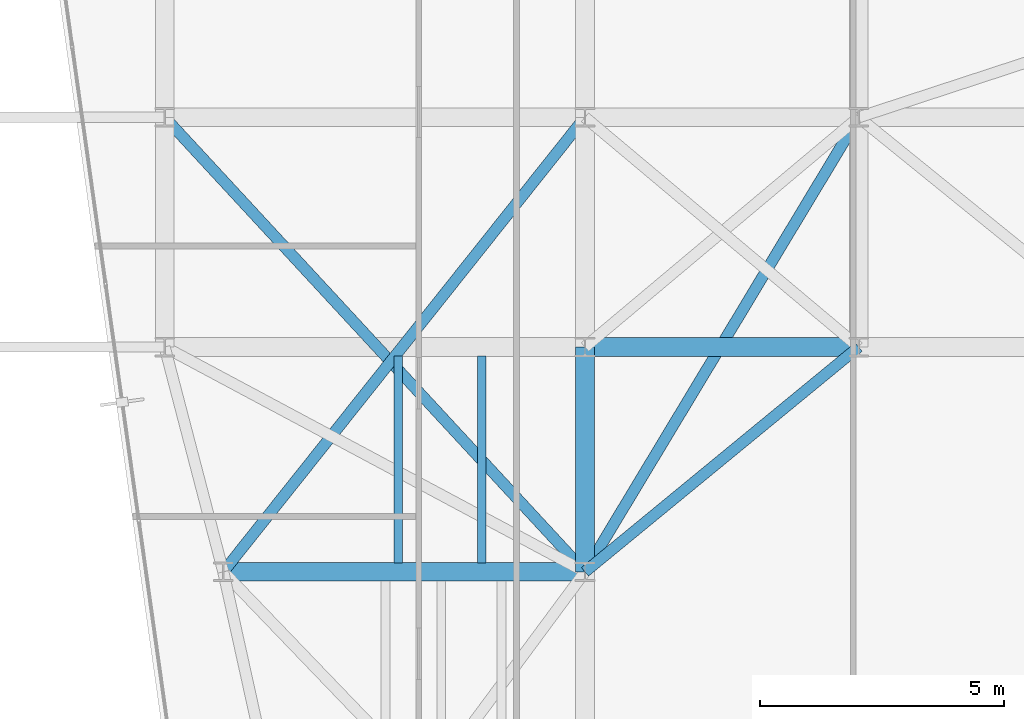
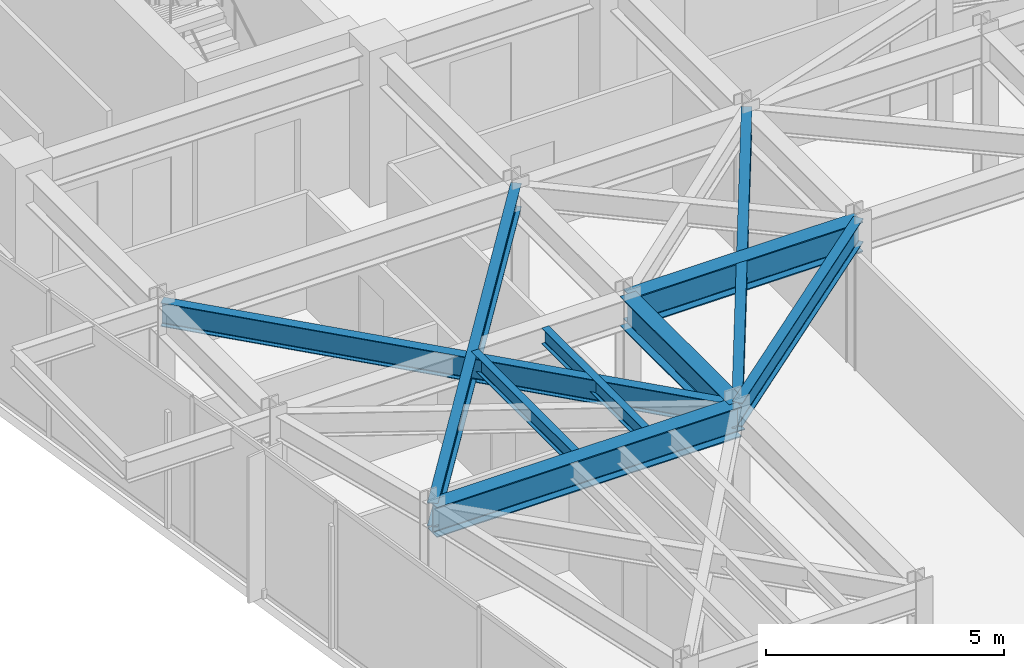
# One storey, part 5 of 26: 9 beams.
"""IFC4 building model written with IfcOpenShell, lengths in metres."""

from ifc_helpers import new_model, si_unit, direction, frame, origin, origin_2d, place, context, subcontext, project, spatial, i_section, extrude, material, material_profile, profile_set, type_object, element, save


model = new_model("IFC4")

# Units and contexts
model_context = context("Model", 3, precision=1e-05, world=origin(), true_north=direction((0.0, 1.0)))
body_context = subcontext(model_context, "Body", "Model", "MODEL_VIEW")
ifc_project = project(units=[si_unit("LENGTHUNIT", "METRE"), si_unit("AREAUNIT", "SQUARE_METRE"), si_unit("VOLUMEUNIT", "CUBIC_METRE"), si_unit("PLANEANGLEUNIT", "RADIAN"), si_unit("MASSUNIT", "GRAM", prefix="KILO")], contexts=[model_context])

# Site, building, storey
site_placement = place(None, origin())
site = spatial("IfcSite", under=ifc_project, at=site_placement, CompositionType="ELEMENT")
building_placement = place(site_placement, origin())
building = spatial("IfcBuilding", under=site, at=building_placement, Name="Kravanh Interchange Tower", CompositionType="ELEMENT")
storey_placement = place(building_placement, frame((0.0, 0.0, 212.5)))
storey = spatial("IfcBuildingStorey", under=building, at=storey_placement, Name="L51", CompositionType="ELEMENT", Elevation=212.5)

# Beams
ifc_material_1 = material(Name="Structural Steel S355", Category="steel")
ifc_material_profile_1 = material_profile(ifc_material_1, i_section(OverallWidth=0.381103515625, OverallDepth=0.77294921875, WebThickness=0.0166015625, FlangeThickness=0.027099609375, FilletRadius=0.02490234375, at=origin_2d()), Name="W30X173")
ifc_profile_set_1 = profile_set([ifc_material_profile_1], Name="Structural Steel S355")
beam_type_1 = type_object("IfcBeamType", Name="Floor Beam W30X173 Structural Steel S355", PredefinedType="BEAM", material=ifc_profile_set_1)
beam_1_placement = place(storey_placement, frame((27.199951171875, 26.800048828125, 3.368408203125), z_axis=(0.0, -1.0, 0.0), x_axis=(1.0, 0.0, 0.0)))
element("IfcBeam", 1, at=beam_1_placement, inside=storey, type_object=beam_type_1, Name="L51 Primary Floor Girder 37", PredefinedType="BEAM", context=body_context, shape_type="SweptSolid", body=[
    extrude(i_section(OverallWidth=0.381103515625, OverallDepth=0.77294921875, WebThickness=0.0166015625, FlangeThickness=0.027099609375, FilletRadius=0.02490234375, at=origin_2d()), origin(), (0.0, 0.0, 1.0), 4.60009765625),
])
beam_2_placement = place(storey_placement, frame((27.199951171875, 26.800048828125, 3.368408203125), z_axis=(1.0, 0.0, 0.0), x_axis=(0.0, 1.0, 0.0)))
element("IfcBeam", 2, at=beam_2_placement, inside=storey, type_object=beam_type_1, Name="L51 Primary Floor Girder 39", PredefinedType="BEAM", context=body_context, shape_type="SweptSolid", body=[
    extrude(i_section(OverallWidth=0.381103515625, OverallDepth=0.77294921875, WebThickness=0.0166015625, FlangeThickness=0.027099609375, FilletRadius=0.02490234375, at=origin_2d()), origin(), (0.0, 0.0, 1.0), 5.60009765625),
])
beam_3_placement = place(storey_placement, frame((19.800048828125, 22.199951171875, 3.368408203125), z_axis=(1.0, 0.0, 0.0), x_axis=(0.0, 1.0, 0.0)))
element("IfcBeam", 3, at=beam_3_placement, inside=storey, type_object=beam_type_1, Name="L51 Primary Floor Girder 91", PredefinedType="BEAM", context=body_context, shape_type="SweptSolid", body=[
    extrude(i_section(OverallWidth=0.381103515625, OverallDepth=0.77294921875, WebThickness=0.0166015625, FlangeThickness=0.027099609375, FilletRadius=0.02490234375, at=origin_2d()), origin(), (0.0, 0.0, 1.0), 7.39990234375),
])
ifc_material_2 = material(Name="Structural Steel S355", Category="steel")
ifc_material_profile_2 = material_profile(ifc_material_2, i_section(OverallWidth=0.177978515625, OverallDepth=0.406005859375, WebThickness=0.0078125, FlangeThickness=0.0126953125, FilletRadius=0.01611328125, at=origin_2d()), Name="W16X40")
ifc_profile_set_2 = profile_set([ifc_material_profile_2], Name="Structural Steel S355")
beam_type_2 = type_object("IfcBeamType", Name="Floor Joist W16X40 Structural Steel S355", PredefinedType="JOIST", material=ifc_profile_set_2)
for number, where, z_axis, x_axis, name in (
    (4, (23.3779296875, 22.385498046875, 3.552001953125), (0.0, 1.0, 0.0), (-1.0, 0.0, 0.0), "L51 Secondary Floor Joist 8"),
    (5, (25.0859375, 22.385498046875, 3.552001953125), (0.0, 1.0, 0.0), (-1.0, 0.0, 0.0), "L51 Secondary Floor Joist 9"),
):
    element("IfcBeam", number, at=place(storey_placement, frame(where, z_axis=z_axis, x_axis=x_axis)), inside=storey, type_object=beam_type_2, Name=name, PredefinedType="JOIST", context=body_context, shape_type="SweptSolid", body=[
        extrude(i_section(OverallWidth=0.177978515625, OverallDepth=0.406005859375, WebThickness=0.0078125, FlangeThickness=0.0126953125, FilletRadius=0.01611328125, at=origin_2d()), origin(), (0.0, 0.0, 1.0), 4.22900390625),
    ])
ifc_material_3 = material(Name="Structural Steel S355", Category="steel")
ifc_material_profile_3 = material_profile(ifc_material_3, i_section(OverallWidth=0.22802734375, OverallDepth=0.60791015625, WebThickness=0.01123046875, FlangeThickness=0.017333984375, FilletRadius=0.02197265625, at=origin_2d()), Name="W24X76")
ifc_profile_set_3 = profile_set([ifc_material_profile_3], Name="Structural Steel S355")
beam_type_3 = type_object("IfcBeamType", Name="Floor Spandrel W24X76 Structural Steel S355", PredefinedType="SPANDREL", material=ifc_profile_set_3)
beam_4_placement = place(storey_placement, frame((32.800048828125, 26.800048828125, 3.450927734375), z_axis=(-0.772725074305, -0.634740860147, 0.0), x_axis=(0.634740860147, -0.772725074305, 0.0)))
element("IfcBeam", 6, at=beam_4_placement, inside=storey, type_object=beam_type_3, Name="L51 Perimeter Spandrel 43", PredefinedType="SPANDREL", context=body_context, shape_type="SweptSolid", body=[
    extrude(i_section(OverallWidth=0.22802734375, OverallDepth=0.60791015625, WebThickness=0.01123046875, FlangeThickness=0.017333984375, FilletRadius=0.02197265625, at=origin_2d()), origin(), (0.0, 0.0, 1.0), 7.247314453125),
])
beam_5_placement = place(storey_placement, frame((18.60009765625, 31.5, 3.450927734375), z_axis=(0.678927458783, -0.734205356634, 0.0), x_axis=(0.734205356634, 0.678927458783, 0.0)))
element("IfcBeam", 7, at=beam_5_placement, inside=storey, type_object=beam_type_3, Name="L51 Perimeter Spandrel 63", PredefinedType="SPANDREL", context=body_context, shape_type="SweptSolid", body=[
    extrude(i_section(OverallWidth=0.22802734375, OverallDepth=0.60791015625, WebThickness=0.01123046875, FlangeThickness=0.017333984375, FilletRadius=0.02197265625, at=origin_2d()), origin(), (0.0, 0.0, 1.0), 12.666748046875),
])
beam_6_placement = place(storey_placement, frame((27.199951171875, 31.5, 3.450927734375), z_axis=(-0.622633646541, -0.782513477324, 0.0), x_axis=(0.782513477324, -0.622633646541, 0.0)))
element("IfcBeam", 8, at=beam_6_placement, inside=storey, type_object=beam_type_3, Name="L51 Perimeter Spandrel 66", PredefinedType="SPANDREL", context=body_context, shape_type="SweptSolid", body=[
    extrude(i_section(OverallWidth=0.22802734375, OverallDepth=0.60791015625, WebThickness=0.01123046875, FlangeThickness=0.017333984375, FilletRadius=0.02197265625, at=origin_2d()), origin(), (0.0, 0.0, 1.0), 11.884765625),
])
beam_7_placement = place(storey_placement, frame((32.800048828125, 31.5, 3.450927734375), z_axis=(-0.515854375109, -0.856676288735, 0.0), x_axis=(0.856676288735, -0.515854375109, 0.0)))
element("IfcBeam", 9, at=beam_7_placement, inside=storey, type_object=beam_type_3, Name="L51 Perimeter Spandrel 69", PredefinedType="SPANDREL", context=body_context, shape_type="SweptSolid", body=[
    extrude(i_section(OverallWidth=0.22802734375, OverallDepth=0.60791015625, WebThickness=0.01123046875, FlangeThickness=0.017333984375, FilletRadius=0.02197265625, at=origin_2d()), origin(), (0.0, 0.0, 1.0), 10.85595703125),
])

save(model, "model.ifc")
